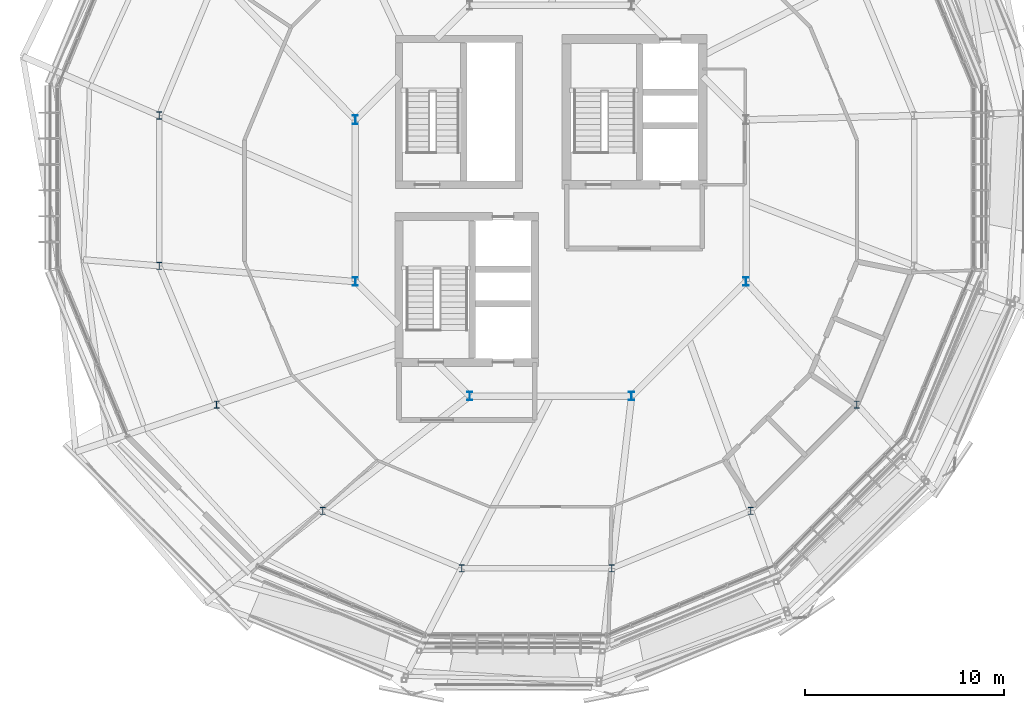
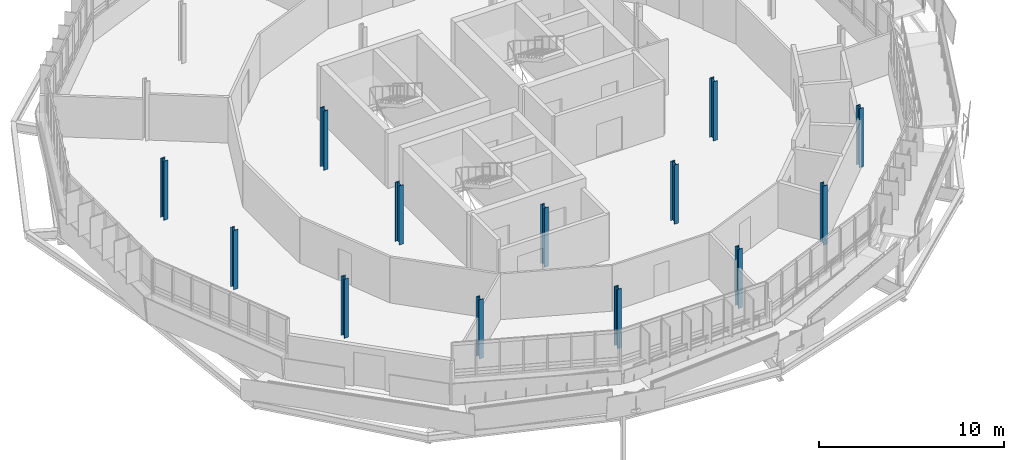
# One storey, part 1 of 38: 13 columns.
"""IFC4 building model written with IfcOpenShell, lengths in metres."""

from ifc_helpers import new_model, si_unit, derived_unit, direction, frame, origin, origin_2d, place, context, subcontext, project, spatial, i_section, extrude, material, material_profile, profile_set, type_object, element, save


model = new_model("IFC4")

# Units and contexts
model_context = context("Model", 3, precision=1e-05, world=origin(), true_north=direction((0.0, 1.0)))
body_context = subcontext(model_context, "Body", "Model", "MODEL_VIEW")
ifc_project = project(units=[si_unit("LENGTHUNIT", "METRE"), si_unit("AREAUNIT", "SQUARE_METRE"), si_unit("VOLUMEUNIT", "CUBIC_METRE"), si_unit("PLANEANGLEUNIT", "RADIAN"), si_unit("MASSUNIT", "GRAM", prefix="KILO"), derived_unit("THERMALTRANSMITTANCEUNIT", [(si_unit("MASSUNIT", "GRAM", prefix="KILO"), 1), (si_unit("TIMEUNIT", "SECOND"), -3), (si_unit("THERMODYNAMICTEMPERATUREUNIT", "KELVIN"), -1)])], contexts=[model_context])

# Site, building, storey
site_placement = place(None, origin())
site = spatial("IfcSite", under=ifc_project, at=site_placement, CompositionType="ELEMENT")
building_placement = place(site_placement, origin())
building = spatial("IfcBuilding", under=site, at=building_placement, Name="Makaiwela Harbour Ferry Terminal", CompositionType="ELEMENT")
storey_placement = place(building_placement, frame((0.0, 0.0, 17.699951171875)))
storey = spatial("IfcBuildingStorey", under=building, at=storey_placement, Name="L04", CompositionType="ELEMENT", Elevation=17.699951171875)

# Columns
ifc_material = material(Name="Steel ASTM A992 Grade 50", Category="steel")
ifc_material_profile_1 = material_profile(ifc_material, i_section(OverallWidth=0.257080078125, OverallDepth=0.363037109375, WebThickness=0.012939453125, FlangeThickness=0.021728515625, at=origin_2d()), Name="W14X82")
ifc_profile_set_1 = profile_set([ifc_material_profile_1], Name="Steel ASTM A992 Grade 50")
column_type_1 = type_object("IfcColumnType", Name="STR-COL-W14X82", PredefinedType="COLUMN", material=ifc_profile_set_1)
for number, where, z_axis, x_axis, name in (
    (1, (18.1708984375, 71.865234375, 0.0), (0.0, 0.0, 1.0), (1.0, 0.0, 0.0), "Structural Column C-05"),
    (2, (18.1708984375, 64.334716796875, 0.0), (0.0, 0.0, 1.0), (1.0, 0.0, 0.0), "Structural Column C-05"),
    (3, (21.052490234375, 57.37744140625, 0.0), (0.0, 0.0, 1.0), (1.0, 0.0, 0.0), "Structural Column C-05"),
    (4, (26.37744140625, 52.052490234375, 0.0), (0.0, 0.0, 1.0), (1.0, 0.0, 0.0), "Structural Column C-05"),
    (5, (33.334716796875, 49.1708984375, 0.0), (0.0, 0.0, 1.0), (1.0, 0.0, 0.0), "Structural Column C-05"),
    (6, (40.865234375, 49.1708984375, 0.0), (0.0, 0.0, 1.0), (1.0, 0.0, 0.0), "Structural Column C-05"),
    (7, (47.822509765625, 52.052490234375, 0.0), (0.0, 0.0, 1.0), (1.0, 0.0, 0.0), "Structural Column C-05"),
    (8, (53.1474609375, 57.37744140625, 0.0), (0.0, 0.0, 1.0), (1.0, 0.0, 0.0), "Structural Column C-05"),
):
    element("IfcColumn", number, at=place(storey_placement, frame(where, z_axis=z_axis, x_axis=x_axis)), inside=storey, type_object=column_type_1, Name=name, PredefinedType="COLUMN", context=body_context, shape_type="SweptSolid", body=[
        extrude(i_section(OverallWidth=0.257080078125, OverallDepth=0.363037109375, WebThickness=0.012939453125, FlangeThickness=0.021728515625, at=origin_2d()), origin(), (0.0, 0.0, 1.0), 3.900146484375),
    ])
ifc_material_profile_2 = material_profile(ifc_material, i_section(OverallWidth=0.264892578125, OverallDepth=0.430908203125, WebThickness=0.014892578125, FlangeThickness=0.02490234375, at=origin_2d()), Name="W16X100")
ifc_profile_set_2 = profile_set([ifc_material_profile_2], Name="Steel ASTM A992 Grade 50")
column_type_2 = type_object("IfcColumnType", Name="STR-COL-W16X100", PredefinedType="COLUMN", material=ifc_profile_set_2)
for number, where, z_axis, x_axis, name in (
    (9, (28.0068359375, 71.656494140625, 0.0), (0.0, 0.0, 1.0), (1.0, 0.0, 0.0), "Structural Column C-03"),
    (10, (28.0068359375, 63.543701171875, 0.0), (0.0, 0.0, 1.0), (1.0, 0.0, 0.0), "Structural Column C-03"),
    (11, (33.74365234375, 57.806884765625, 0.0), (0.0, 0.0, 1.0), (1.0, 0.0, 0.0), "Structural Column C-03"),
    (12, (41.8564453125, 57.806884765625, 0.0), (0.0, 0.0, 1.0), (1.0, 0.0, 0.0), "Structural Column C-03"),
    (13, (47.593017578125, 63.543701171875, 0.0), (0.0, 0.0, 1.0), (1.0, 0.0, 0.0), "Structural Column C-03"),
):
    element("IfcColumn", number, at=place(storey_placement, frame(where, z_axis=z_axis, x_axis=x_axis)), inside=storey, type_object=column_type_2, Name=name, PredefinedType="COLUMN", context=body_context, shape_type="SweptSolid", body=[
        extrude(i_section(OverallWidth=0.264892578125, OverallDepth=0.430908203125, WebThickness=0.014892578125, FlangeThickness=0.02490234375, at=origin_2d()), origin(), (0.0, 0.0, 1.0), 3.900146484375),
    ])

save(model, "model.ifc")
